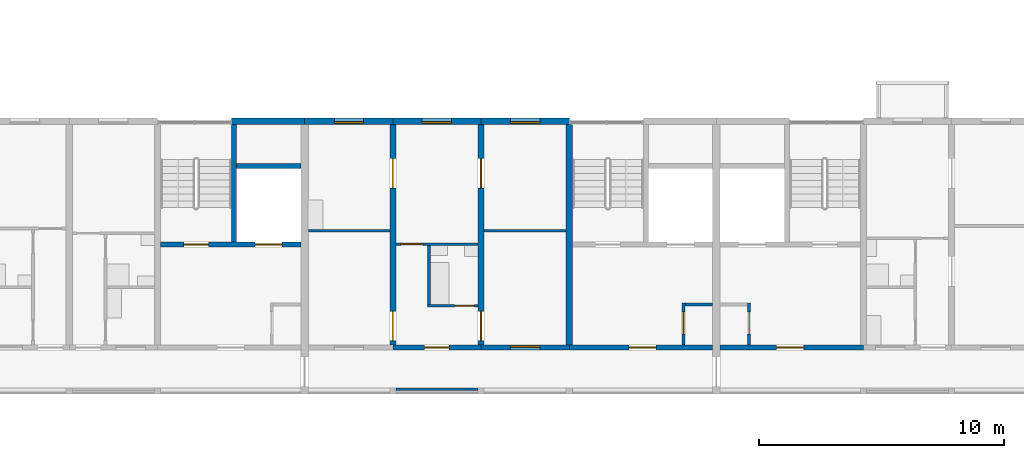
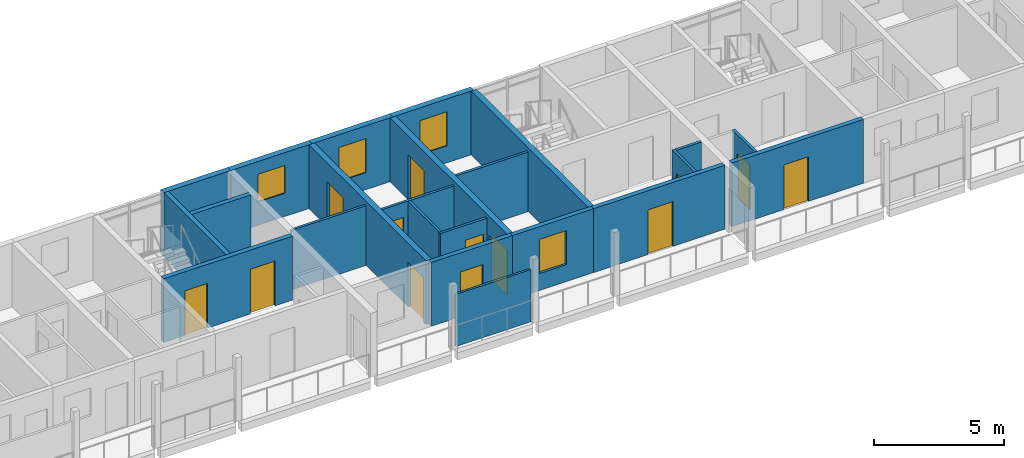
# One storey, part 39 of 100: 23 walls, 13 doors, 4 windows, 17 openings.
"""IFC4 building model written with IfcOpenShell, lengths in metres."""

from ifc_helpers import new_model, si_unit, direction, frame, frame_2d, origin, place, context, subcontext, project, spatial, rectangle, extrude, material, layer, layer_set, type_object, element, fill, save


model = new_model("IFC4")

# Units and contexts
model_context = context("Model", 3, precision=1e-05, world=origin(), true_north=direction((0.0, 1.0)))
body_context = subcontext(model_context, "Body", "Model", "MODEL_VIEW")
ifc_project = project(units=[si_unit("LENGTHUNIT", "METRE"), si_unit("AREAUNIT", "SQUARE_METRE"), si_unit("VOLUMEUNIT", "CUBIC_METRE"), si_unit("PLANEANGLEUNIT", "RADIAN"), si_unit("MASSUNIT", "GRAM", prefix="KILO")], contexts=[model_context])

# Site, building, storey
site_placement = place(None, origin())
site = spatial("IfcSite", under=ifc_project, at=site_placement, CompositionType="ELEMENT")
building_placement = place(site_placement, origin())
building = spatial("IfcBuilding", under=site, at=building_placement, Name="Ridgestep Commons", CompositionType="ELEMENT")
storey_placement = place(building_placement, frame((0.0, 0.0, 9.0)))
storey = spatial("IfcBuildingStorey", under=building, at=storey_placement, Name="L03", CompositionType="ELEMENT", Elevation=9.0)

# Wall
ifc_material_1 = material(Name="Concrete C30/37", Category="concrete")
ifc_layer_1 = layer(ifc_material_1, 0.25)
ifc_layer_set_1 = layer_set([ifc_layer_1], Name="Core cross wall 250")
wall_type_1 = type_object("IfcWallType", Name="Core cross wall 250", PredefinedType="SHEAR", material=ifc_layer_set_1)
wall_1_placement = place(storey_placement, frame((90.0, 13.75, 0.0), z_axis=(0.0, 0.0, 1.0), x_axis=(0.0, 1.0, 0.0)))
element("IfcWall", 1, at=wall_1_placement, inside=storey, type_object=wall_type_1, Name="Cross wall A-03-0900", PredefinedType="SHEAR", context=body_context, shape_type="SweptSolid", body=[
    extrude(rectangle(XDim=9.0, YDim=0.25, at=frame_2d((4.5, 0.0))), origin(), (0.0, 0.0, 1.0), 3.0),
])

# Wall, opening, door
ifc_material_2 = material(Name="Concrete C30/37", Category="concrete")
ifc_layer_2 = layer(ifc_material_2, 0.199951171875)
ifc_layer_set_2 = layer_set([ifc_layer_2], Name="Core south wall 200")
wall_type_2 = type_object("IfcWallType", Name="Core south wall 200", PredefinedType="SHEAR", material=ifc_layer_set_2)
wall_2_placement = place(storey_placement, frame((90.0, 13.64990234375, 0.0), z_axis=(0.0, 0.0, 1.0), x_axis=(1.0, 0.0, 0.0)))
wall_2 = element("IfcWall", 2, at=wall_2_placement, inside=storey, type_object=wall_type_2, Name="Core south wall A5C L03", PredefinedType="SHEAR", context=body_context, shape_type="SweptSolid", body=[
    extrude(rectangle(XDim=5.85009765625, YDim=0.199951171875, at=frame_2d((2.925048828125, 0.0))), origin(), (0.0, 0.0, 1.0), 3.0),
])
opening_1_placement = place(wall_2_placement, frame((2.4375, 0.0, 0.0)))
opening_1 = element("IfcOpeningElement", 3, at=opening_1_placement, cuts=wall_2, Name="Opening A5C/03/1", PredefinedType="OPENING", context=body_context, shape_type="SweptSolid", body=[
    extrude(rectangle(XDim=1.10009765625, YDim=2.10009765625, at=frame_2d((0.550048828125, 1.050048828125))), frame((0.0, 0.10986328125, 0.0), z_axis=(0.0, -1.0, 0.0), x_axis=(1.0, 0.0, 0.0)), (0.0, 0.0, 1.0), 0.219970703125),
])
ifc_material_3 = material(Name="Steel fire door", Category="steel")
door_type_1 = type_object("IfcDoorType", Name="Lobby door 1100 x 2100 FD60", OperationType="NOTDEFINED", PredefinedType="DOOR", material=ifc_material_3)
door_1_placement = place(opening_1_placement, origin())
door_1 = element("IfcDoor", 4, at=door_1_placement, inside=storey, type_object=door_type_1, Name="Lobby door A5C/03/1", OperationType="SINGLE_SWING_LEFT", OverallHeight=2.10009765625, OverallWidth=1.10009765625, PredefinedType="DOOR", context=body_context, shape_type="SweptSolid", body=[
    extrude(rectangle(XDim=1.10009765625, YDim=2.10009765625, at=frame_2d((0.550048828125, 1.050048828125))), frame((0.0, 0.02490234375, 0.0), z_axis=(0.0, -1.0, 0.0), x_axis=(1.0, 0.0, 0.0)), (0.0, 0.0, 1.0), 0.050048828125),
])
fill(opening_1, door_1)

wall_3_placement = place(storey_placement, frame((96.14990234375, 13.64990234375, 0.0), z_axis=(0.0, 0.0, 1.0), x_axis=(1.0, 0.0, 0.0)))
wall_3 = element("IfcWall", 5, at=wall_3_placement, inside=storey, type_object=wall_type_2, Name="Core south wall A6C L03", PredefinedType="SHEAR", context=body_context, shape_type="SweptSolid", body=[
    extrude(rectangle(XDim=5.85009765625, YDim=0.199951171875, at=frame_2d((2.925048828125, 0.0))), origin(), (0.0, 0.0, 1.0), 3.0),
])
opening_2_placement = place(wall_3_placement, frame((2.3125, 0.0, 0.0)))
opening_2 = element("IfcOpeningElement", 6, at=opening_2_placement, cuts=wall_3, Name="Opening A6C/03/1", PredefinedType="OPENING", context=body_context, shape_type="SweptSolid", body=[
    extrude(rectangle(XDim=1.10009765625, YDim=2.10009765625, at=frame_2d((0.550048828125, 1.050048828125))), frame((0.0, 0.10986328125, 0.0), z_axis=(0.0, -1.0, 0.0), x_axis=(1.0, 0.0, 0.0)), (0.0, 0.0, 1.0), 0.219970703125),
])
door_2_placement = place(opening_2_placement, origin())
door_2 = element("IfcDoor", 7, at=door_2_placement, inside=storey, type_object=door_type_1, Name="Lobby door A6C/03/1", OperationType="SINGLE_SWING_LEFT", OverallHeight=2.10009765625, OverallWidth=1.10009765625, PredefinedType="DOOR", context=body_context, shape_type="SweptSolid", body=[
    extrude(rectangle(XDim=1.10009765625, YDim=2.10009765625, at=frame_2d((0.550048828125, 1.050048828125))), frame((0.0, 0.02490234375, 0.0), z_axis=(0.0, -1.0, 0.0), x_axis=(1.0, 0.0, 0.0)), (0.0, 0.0, 1.0), 0.050048828125),
])
fill(opening_2, door_2)

ifc_material_4 = material(Name="Concrete C30/37", Category="concrete")
ifc_layer_3 = layer(ifc_material_4, 0.1201171875)
ifc_layer_set_3 = layer_set([ifc_layer_3], Name="Core wall 120")
wall_type_3 = type_object("IfcWallType", Name="Core wall 120", PredefinedType="SHEAR", material=ifc_layer_set_3)
wall_4_placement = place(storey_placement, frame((94.659912109375, 13.75, 0.0), z_axis=(0.0, 0.0, 1.0), x_axis=(0.0, 1.0, 0.0)))
wall_4 = element("IfcWall", 8, at=wall_4_placement, inside=storey, type_object=wall_type_3, Name="Core riser w wall A5C L03", PredefinedType="SHEAR", context=body_context, shape_type="SweptSolid", body=[
    extrude(rectangle(XDim=1.719970703125, YDim=0.1201171875, at=frame_2d((0.85986328125, 0.0))), origin(), (0.0, 0.0, 1.0), 3.0),
])
opening_3_placement = place(wall_4_placement, frame((0.449951171875, 0.0, 0.0)))
opening_3 = element("IfcOpeningElement", 9, at=opening_3_placement, cuts=wall_4, Name="Opening A5C/03/4", PredefinedType="OPENING", context=body_context, shape_type="SweptSolid", body=[
    extrude(rectangle(XDim=0.89990234375, YDim=2.10009765625, at=frame_2d((0.449951171875, 1.050048828125))), frame((0.0, 0.070068359375, 0.0), z_axis=(0.0, -1.0, 0.0), x_axis=(1.0, 0.0, 0.0)), (0.0, 0.0, 1.0), 0.14013671875),
])
ifc_material_5 = material(Name="Steel fire door", Category="steel")
door_type_2 = type_object("IfcDoorType", Name="Riser door 900 x 2100 FD60", OperationType="NOTDEFINED", PredefinedType="DOOR", material=ifc_material_5)
door_3_placement = place(opening_3_placement, origin())
door_3 = element("IfcDoor", 10, at=door_3_placement, inside=storey, type_object=door_type_2, Name="Riser door A5C/03/4", OperationType="SINGLE_SWING_LEFT", OverallHeight=2.10009765625, OverallWidth=0.89990234375, PredefinedType="DOOR", context=body_context, shape_type="SweptSolid", body=[
    extrude(rectangle(XDim=0.89990234375, YDim=2.10009765625, at=frame_2d((0.449951171875, 1.050048828125))), frame((0.0, 0.02490234375, 0.0), z_axis=(0.0, -1.0, 0.0), x_axis=(1.0, 0.0, 0.0)), (0.0, 0.0, 1.0), 0.050048828125),
])
fill(opening_3, door_3)

# Wall
wall_5_placement = place(storey_placement, frame((94.719970703125, 15.409912109375, 0.0), z_axis=(0.0, 0.0, 1.0), x_axis=(1.0, 0.0, 0.0)))
element("IfcWall", 11, at=wall_5_placement, inside=storey, type_object=wall_type_3, Name="Core riser n wall A5C L03", PredefinedType="SHEAR", context=body_context, shape_type="SweptSolid", body=[
    extrude(rectangle(XDim=1.130126953125, YDim=0.1201171875, at=frame_2d((0.56494140625, 0.0))), origin(), (0.0, 0.0, 1.0), 3.0),
])

# Wall, opening, door
wall_6_placement = place(storey_placement, frame((97.340087890625, 13.75, 0.0), z_axis=(0.0, 0.0, 1.0), x_axis=(0.0, 1.0, 0.0)))
wall_6 = element("IfcWall", 12, at=wall_6_placement, inside=storey, type_object=wall_type_3, Name="Core riser w wall A6C L03", PredefinedType="SHEAR", context=body_context, shape_type="SweptSolid", body=[
    extrude(rectangle(XDim=1.719970703125, YDim=0.1201171875, at=frame_2d((0.85986328125, 0.0))), origin(), (0.0, 0.0, 1.0), 3.0),
])
opening_4_placement = place(wall_6_placement, frame((0.449951171875, 0.0, 0.0)))
opening_4 = element("IfcOpeningElement", 13, at=opening_4_placement, cuts=wall_6, Name="Opening A6C/03/4", PredefinedType="OPENING", context=body_context, shape_type="SweptSolid", body=[
    extrude(rectangle(XDim=0.89990234375, YDim=2.10009765625, at=frame_2d((0.449951171875, 1.050048828125))), frame((0.0, 0.070068359375, 0.0), z_axis=(0.0, -1.0, 0.0), x_axis=(1.0, 0.0, 0.0)), (0.0, 0.0, 1.0), 0.14013671875),
])
door_4_placement = place(opening_4_placement, origin())
door_4 = element("IfcDoor", 14, at=door_4_placement, inside=storey, type_object=door_type_2, Name="Riser door A6C/03/4", OperationType="SINGLE_SWING_RIGHT", OverallHeight=2.10009765625, OverallWidth=0.89990234375, PredefinedType="DOOR", context=body_context, shape_type="SweptSolid", body=[
    extrude(rectangle(XDim=0.89990234375, YDim=2.10009765625, at=frame_2d((0.449951171875, 1.050048828125))), frame((0.0, 0.02490234375, 0.0), z_axis=(0.0, -1.0, 0.0), x_axis=(1.0, 0.0, 0.0)), (0.0, 0.0, 1.0), 0.050048828125),
])
fill(opening_4, door_4)

# Wall, openings, doors
ifc_material_6 = material(Name="Concrete C30/37", Category="concrete")
ifc_layer_4 = layer(ifc_material_6, 0.199951171875)
ifc_layer_set_4 = layer_set([ifc_layer_4], Name="Core wall 200")
wall_type_4 = type_object("IfcWallType", Name="Core wall 200", PredefinedType="SHEAR", material=ifc_layer_set_4)
wall_7_placement = place(storey_placement, frame((73.324951171875, 17.85009765625, 0.0), z_axis=(0.0, 0.0, 1.0), x_axis=(1.0, 0.0, 0.0)))
wall_7 = element("IfcWall", 15, at=wall_7_placement, inside=storey, type_object=wall_type_4, Name="Core lobby wall A4C L03", PredefinedType="SHEAR", context=body_context, shape_type="SweptSolid", body=[
    extrude(rectangle(XDim=5.72509765625, YDim=0.199951171875, at=frame_2d((2.862548828125, 0.0))), origin(), (0.0, 0.0, 1.0), 3.0),
])
opening_5_placement = place(wall_7_placement, frame((0.949951171875, 0.0, 0.0)))
opening_5 = element("IfcOpeningElement", 16, at=opening_5_placement, cuts=wall_7, Name="Opening A4C/03/2", PredefinedType="OPENING", context=body_context, shape_type="SweptSolid", body=[
    extrude(rectangle(XDim=1.0, YDim=2.10009765625, at=frame_2d((0.5, 1.050048828125))), frame((0.0, 0.10986328125, 0.0), z_axis=(0.0, -1.0, 0.0), x_axis=(1.0, 0.0, 0.0)), (0.0, 0.0, 1.0), 0.219970703125),
])
opening_6_placement = place(wall_7_placement, frame((3.862548828125, 0.0, 0.0)))
opening_6 = element("IfcOpeningElement", 17, at=opening_6_placement, cuts=wall_7, Name="Opening A4C/03/3", PredefinedType="OPENING", context=body_context, shape_type="SweptSolid", body=[
    extrude(rectangle(XDim=1.10009765625, YDim=2.10009765625, at=frame_2d((0.550048828125, 1.050048828125))), frame((0.0, 0.10986328125, 0.0), z_axis=(0.0, -1.0, 0.0), x_axis=(1.0, 0.0, 0.0)), (0.0, 0.0, 1.0), 0.219970703125),
])
ifc_material_7 = material(Name="Stainless steel", Category="steel")
door_type_3 = type_object("IfcDoorType", Name="Lift landing door 1100 x 2100 FD60", OperationType="DOUBLE_DOOR_SLIDING", PredefinedType="DOOR", material=ifc_material_7)
door_5_placement = place(opening_6_placement, origin())
door_5 = element("IfcDoor", 18, at=door_5_placement, inside=storey, type_object=door_type_3, Name="Landing door LD A4C L03", OperationType="DOUBLE_DOOR_SLIDING", OverallHeight=2.10009765625, OverallWidth=1.10009765625, PredefinedType="DOOR", context=body_context, shape_type="SweptSolid", body=[
    extrude(rectangle(XDim=1.10009765625, YDim=2.10009765625, at=frame_2d((0.550048828125, 1.050048828125))), frame((0.0, 0.02490234375, 0.0), z_axis=(0.0, -1.0, 0.0), x_axis=(1.0, 0.0, 0.0)), (0.0, 0.0, 1.0), 0.050048828125),
])
fill(opening_6, door_5)
ifc_material_8 = material(Name="Steel fire door", Category="steel")
door_type_4 = type_object("IfcDoorType", Name="Stair door 1000 x 2100 FD60", OperationType="NOTDEFINED", PredefinedType="DOOR", material=ifc_material_8)
door_6_placement = place(opening_5_placement, origin())
door_6 = element("IfcDoor", 19, at=door_6_placement, inside=storey, type_object=door_type_4, Name="Stair door A4C/03/2", OperationType="SINGLE_SWING_RIGHT", OverallHeight=2.10009765625, OverallWidth=1.0, PredefinedType="DOOR", context=body_context, shape_type="SweptSolid", body=[
    extrude(rectangle(XDim=1.0, YDim=2.10009765625, at=frame_2d((0.5, 1.050048828125))), frame((0.0, 0.02490234375, 0.0), z_axis=(0.0, -1.0, 0.0), x_axis=(1.0, 0.0, 0.0)), (0.0, 0.0, 1.0), 0.050048828125),
])
fill(opening_5, door_6)

# Walls
wall_8_placement = place(storey_placement, frame((76.324951171875, 17.949951171875, 0.0), z_axis=(0.0, 0.0, 1.0), x_axis=(0.0, 1.0, 0.0)))
element("IfcWall", 20, at=wall_8_placement, inside=storey, type_object=wall_type_4, Name="Core stair wall A4C L03", PredefinedType="SHEAR", context=body_context, shape_type="SweptSolid", body=[
    extrude(rectangle(XDim=4.800048828125, YDim=0.199951171875, at=frame_2d((2.39990234375, 0.0))), origin(), (0.0, 0.0, 1.0), 3.0),
])
wall_9_placement = place(storey_placement, frame((76.425048828125, 21.050048828125, 0.0), z_axis=(0.0, 0.0, 1.0), x_axis=(1.0, 0.0, 0.0)))
element("IfcWall", 21, at=wall_9_placement, inside=storey, type_object=wall_type_4, Name="Core duct wall A4C L03", PredefinedType="SHEAR", context=body_context, shape_type="SweptSolid", body=[
    extrude(rectangle(XDim=2.625, YDim=0.199951171875, at=frame_2d((1.3125, 0.0))), origin(), (0.0, 0.0, 1.0), 3.0),
])

# Wall, openings, doors
ifc_material_9 = material(Name="Precast concrete C40/50", Category="concrete")
ifc_layer_5 = layer(ifc_material_9, 0.25)
ifc_layer_set_5 = layer_set([ifc_layer_5], Name="Cross wall 250")
wall_type_5 = type_object("IfcWallType", Name="Cross wall 250", PredefinedType="SHEAR", material=ifc_layer_set_5)
wall_10_placement = place(storey_placement, frame((82.800048828125, 13.75, 0.0), z_axis=(0.0, 0.0, 1.0), x_axis=(0.0, 1.0, 0.0)))
wall_10 = element("IfcWall", 22, at=wall_10_placement, inside=storey, type_object=wall_type_5, Name="Cross wall A-03-0828", PredefinedType="SHEAR", context=body_context, shape_type="SweptSolid", body=[
    extrude(rectangle(XDim=9.0, YDim=0.25, at=frame_2d((4.5, 0.0))), origin(), (0.0, 0.0, 1.0), 3.0),
])
opening_7_placement = place(wall_10_placement, frame((0.175048828125, 0.0, 0.0)))
opening_7 = element("IfcOpeningElement", 23, at=opening_7_placement, cuts=wall_10, Name="Opening A5-03a/4", PredefinedType="OPENING", context=body_context, shape_type="SweptSolid", body=[
    extrude(rectangle(XDim=1.199951171875, YDim=2.10009765625, at=frame_2d((0.60009765625, 1.050048828125))), frame((0.0, 0.135009765625, 0.0), z_axis=(0.0, -1.0, 0.0), x_axis=(1.0, 0.0, 0.0)), (0.0, 0.0, 1.0), 0.27001953125),
])
opening_8_placement = place(wall_10_placement, frame((6.39990234375, 0.0, 0.0)))
opening_8 = element("IfcOpeningElement", 24, at=opening_8_placement, cuts=wall_10, Name="Opening A5-03a/5", PredefinedType="OPENING", context=body_context, shape_type="SweptSolid", body=[
    extrude(rectangle(XDim=1.199951171875, YDim=2.10009765625, at=frame_2d((0.60009765625, 1.050048828125))), frame((0.0, 0.135009765625, 0.0), z_axis=(0.0, -1.0, 0.0), x_axis=(1.0, 0.0, 0.0)), (0.0, 0.0, 1.0), 0.27001953125),
])
ifc_material_10 = material(Name="Timber door leaf", Category="wood")
door_type_5 = type_object("IfcDoorType", Name="Double door 1200 x 2100", OperationType="DOUBLE_DOOR_SINGLE_SWING", PredefinedType="DOOR", material=ifc_material_10)
door_7_placement = place(opening_7_placement, origin())
door_7 = element("IfcDoor", 25, at=door_7_placement, inside=storey, type_object=door_type_5, Name="Double door A5-03a/4", OperationType="DOUBLE_DOOR_SINGLE_SWING", OverallHeight=2.10009765625, OverallWidth=1.199951171875, PredefinedType="DOOR", context=body_context, shape_type="SweptSolid", body=[
    extrude(rectangle(XDim=1.199951171875, YDim=2.10009765625, at=frame_2d((0.60009765625, 1.050048828125))), frame((0.0, 0.02490234375, 0.0), z_axis=(0.0, -1.0, 0.0), x_axis=(1.0, 0.0, 0.0)), (0.0, 0.0, 1.0), 0.050048828125),
])
fill(opening_7, door_7)
door_8_placement = place(opening_8_placement, origin())
door_8 = element("IfcDoor", 26, at=door_8_placement, inside=storey, type_object=door_type_5, Name="Double door A5-03a/5", OperationType="DOUBLE_DOOR_SINGLE_SWING", OverallHeight=2.10009765625, OverallWidth=1.199951171875, PredefinedType="DOOR", context=body_context, shape_type="SweptSolid", body=[
    extrude(rectangle(XDim=1.199951171875, YDim=2.10009765625, at=frame_2d((0.60009765625, 1.050048828125))), frame((0.0, 0.02490234375, 0.0), z_axis=(0.0, -1.0, 0.0), x_axis=(1.0, 0.0, 0.0)), (0.0, 0.0, 1.0), 0.050048828125),
])
fill(opening_8, door_8)

wall_11_placement = place(storey_placement, frame((86.39990234375, 13.75, 0.0), z_axis=(0.0, 0.0, 1.0), x_axis=(0.0, 1.0, 0.0)))
wall_11 = element("IfcWall", 27, at=wall_11_placement, inside=storey, type_object=wall_type_5, Name="Cross wall A-03-0864", PredefinedType="SHEAR", context=body_context, shape_type="SweptSolid", body=[
    extrude(rectangle(XDim=9.0, YDim=0.25, at=frame_2d((4.5, 0.0))), origin(), (0.0, 0.0, 1.0), 3.0),
])
opening_9_placement = place(wall_11_placement, frame((0.175048828125, 0.0, 0.0)))
opening_9 = element("IfcOpeningElement", 28, at=opening_9_placement, cuts=wall_11, Name="Opening A5-03a/6", PredefinedType="OPENING", context=body_context, shape_type="SweptSolid", body=[
    extrude(rectangle(XDim=1.199951171875, YDim=2.10009765625, at=frame_2d((0.60009765625, 1.050048828125))), frame((0.0, 0.135009765625, 0.0), z_axis=(0.0, -1.0, 0.0), x_axis=(1.0, 0.0, 0.0)), (0.0, 0.0, 1.0), 0.27001953125),
])
opening_10_placement = place(wall_11_placement, frame((6.39990234375, 0.0, 0.0)))
opening_10 = element("IfcOpeningElement", 29, at=opening_10_placement, cuts=wall_11, Name="Opening A5-03a/7", PredefinedType="OPENING", context=body_context, shape_type="SweptSolid", body=[
    extrude(rectangle(XDim=1.199951171875, YDim=2.10009765625, at=frame_2d((0.60009765625, 1.050048828125))), frame((0.0, 0.135009765625, 0.0), z_axis=(0.0, -1.0, 0.0), x_axis=(1.0, 0.0, 0.0)), (0.0, 0.0, 1.0), 0.27001953125),
])
door_9_placement = place(opening_9_placement, origin())
door_9 = element("IfcDoor", 30, at=door_9_placement, inside=storey, type_object=door_type_5, Name="Double door A5-03a/6", OperationType="DOUBLE_DOOR_SINGLE_SWING", OverallHeight=2.10009765625, OverallWidth=1.199951171875, PredefinedType="DOOR", context=body_context, shape_type="SweptSolid", body=[
    extrude(rectangle(XDim=1.199951171875, YDim=2.10009765625, at=frame_2d((0.60009765625, 1.050048828125))), frame((0.0, 0.02490234375, 0.0), z_axis=(0.0, -1.0, 0.0), x_axis=(1.0, 0.0, 0.0)), (0.0, 0.0, 1.0), 0.050048828125),
])
fill(opening_9, door_9)
door_10_placement = place(opening_10_placement, origin())
door_10 = element("IfcDoor", 31, at=door_10_placement, inside=storey, type_object=door_type_5, Name="Double door A5-03a/7", OperationType="DOUBLE_DOOR_SINGLE_SWING", OverallHeight=2.10009765625, OverallWidth=1.199951171875, PredefinedType="DOOR", context=body_context, shape_type="SweptSolid", body=[
    extrude(rectangle(XDim=1.199951171875, YDim=2.10009765625, at=frame_2d((0.60009765625, 1.050048828125))), frame((0.0, 0.02490234375, 0.0), z_axis=(0.0, -1.0, 0.0), x_axis=(1.0, 0.0, 0.0)), (0.0, 0.0, 1.0), 0.050048828125),
])
fill(opening_10, door_10)

# Wall
ifc_material_11 = material(Name="Precast concrete C40/50", Category="concrete")
ifc_layer_6 = layer(ifc_material_11, 0.25)
ifc_layer_set_6 = layer_set([ifc_layer_6], Name="North facade panel 250")
wall_type_6 = type_object("IfcWallType", Name="North facade panel 250", PredefinedType="SOLIDWALL", material=ifc_layer_set_6)
wall_12_placement = place(storey_placement, frame((76.22509765625, 22.875, 0.0), z_axis=(0.0, 0.0, 1.0), x_axis=(1.0, 0.0, 0.0)))
element("IfcWall", 32, at=wall_12_placement, inside=storey, type_object=wall_type_6, Name="North panel A4C L03", PredefinedType="SOLIDWALL", context=body_context, shape_type="SweptSolid", body=[
    extrude(rectangle(XDim=2.974853515625, YDim=0.25, at=frame_2d((1.4873046875, 0.0))), origin(), (0.0, 0.0, 1.0), 3.0),
])

# Wall, opening, window
wall_13_placement = place(storey_placement, frame((79.199951171875, 22.875, 0.0), z_axis=(0.0, 0.0, 1.0), x_axis=(1.0, 0.0, 0.0)))
wall_13 = element("IfcWall", 33, at=wall_13_placement, inside=storey, type_object=wall_type_6, Name="North panel A5T1 L03", PredefinedType="SOLIDWALL", context=body_context, shape_type="SweptSolid", body=[
    extrude(rectangle(XDim=3.60009765625, YDim=0.25, at=frame_2d((1.800048828125, 0.0))), origin(), (0.0, 0.0, 1.0), 3.0),
])
opening_11_placement = place(wall_13_placement, frame((1.21240234375, 0.0, 1.10009765625)))
opening_11 = element("IfcOpeningElement", 34, at=opening_11_placement, cuts=wall_13, Name="Opening W08", PredefinedType="OPENING", context=body_context, shape_type="SweptSolid", body=[
    extrude(rectangle(XDim=1.199951171875, YDim=1.300048828125, at=frame_2d((0.60009765625, 0.64990234375))), frame((0.0, 0.135009765625, 0.0), z_axis=(0.0, -1.0, 0.0), x_axis=(1.0, 0.0, 0.0)), (0.0, 0.0, 1.0), 0.27001953125),
])
ifc_material_12 = material(Name="Aluminium 6063-T6 and glass", Category="aluminium")
window_type_1 = type_object("IfcWindowType", Name="Flat window 1200 x 1300", PartitioningType="SINGLE_PANEL", PredefinedType="WINDOW", material=ifc_material_12)
window_1_placement = place(opening_11_placement, origin())
window_1 = element("IfcWindow", 35, at=window_1_placement, inside=storey, type_object=window_type_1, Name="Window A5-03a 2", OverallHeight=1.300048828125, OverallWidth=1.199951171875, PartitioningType="SINGLE_PANEL", PredefinedType="WINDOW", context=body_context, shape_type="SweptSolid", body=[
    extrude(rectangle(XDim=1.199951171875, YDim=1.300048828125, at=frame_2d((0.60009765625, 0.64990234375))), frame((0.0, -0.02490234375, 0.0), z_axis=(0.0, -1.0, 0.0), x_axis=(1.0, 0.0, 0.0)), (0.0, 0.0, 1.0), 0.06005859375),
])
fill(opening_11, window_1)

wall_14_placement = place(storey_placement, frame((82.800048828125, 22.875, 0.0), z_axis=(0.0, 0.0, 1.0), x_axis=(1.0, 0.0, 0.0)))
wall_14 = element("IfcWall", 36, at=wall_14_placement, inside=storey, type_object=wall_type_6, Name="North panel A5T2 L03", PredefinedType="SOLIDWALL", context=body_context, shape_type="SweptSolid", body=[
    extrude(rectangle(XDim=3.599853515625, YDim=0.25, at=frame_2d((1.7998046875, 0.0))), origin(), (0.0, 0.0, 1.0), 3.0),
])
opening_12_placement = place(wall_14_placement, frame((1.199951171875, 0.0, 0.800048828125)))
opening_12 = element("IfcOpeningElement", 37, at=opening_12_placement, cuts=wall_14, Name="Opening W11", PredefinedType="OPENING", context=body_context, shape_type="SweptSolid", body=[
    extrude(rectangle(XDim=1.199951171875, YDim=1.60009765625, at=frame_2d((0.60009765625, 0.800048828125))), frame((0.0, 0.135009765625, 0.0), z_axis=(0.0, -1.0, 0.0), x_axis=(1.0, 0.0, 0.0)), (0.0, 0.0, 1.0), 0.27001953125),
])
ifc_material_13 = material(Name="Aluminium 6063-T6 and glass", Category="aluminium")
window_type_2 = type_object("IfcWindowType", Name="Flat window 1200 x 1600", PartitioningType="SINGLE_PANEL", PredefinedType="WINDOW", material=ifc_material_13)
window_2_placement = place(opening_12_placement, origin())
window_2 = element("IfcWindow", 38, at=window_2_placement, inside=storey, type_object=window_type_2, Name="Window A5-03a 5", OverallHeight=1.60009765625, OverallWidth=1.199951171875, PartitioningType="SINGLE_PANEL", PredefinedType="WINDOW", context=body_context, shape_type="SweptSolid", body=[
    extrude(rectangle(XDim=1.199951171875, YDim=1.60009765625, at=frame_2d((0.60009765625, 0.800048828125))), frame((0.0, -0.02490234375, 0.0), z_axis=(0.0, -1.0, 0.0), x_axis=(1.0, 0.0, 0.0)), (0.0, 0.0, 1.0), 0.06005859375),
])
fill(opening_12, window_2)

wall_15_placement = place(storey_placement, frame((86.39990234375, 22.875, 0.0), z_axis=(0.0, 0.0, 1.0), x_axis=(1.0, 0.0, 0.0)))
wall_15 = element("IfcWall", 39, at=wall_15_placement, inside=storey, type_object=wall_type_6, Name="North panel A5T3 L03", PredefinedType="SOLIDWALL", context=body_context, shape_type="SweptSolid", body=[
    extrude(rectangle(XDim=3.60009765625, YDim=0.25, at=frame_2d((1.800048828125, 0.0))), origin(), (0.0, 0.0, 1.0), 3.0),
])
opening_13_placement = place(wall_15_placement, frame((1.199951171875, 0.0, 0.800048828125)))
opening_13 = element("IfcOpeningElement", 40, at=opening_13_placement, cuts=wall_15, Name="Opening W11", PredefinedType="OPENING", context=body_context, shape_type="SweptSolid", body=[
    extrude(rectangle(XDim=1.199951171875, YDim=1.60009765625, at=frame_2d((0.60009765625, 0.800048828125))), frame((0.0, 0.135009765625, 0.0), z_axis=(0.0, -1.0, 0.0), x_axis=(1.0, 0.0, 0.0)), (0.0, 0.0, 1.0), 0.27001953125),
])
window_3_placement = place(opening_13_placement, origin())
window_3 = element("IfcWindow", 41, at=window_3_placement, inside=storey, type_object=window_type_2, Name="Window A5-03a 4", OverallHeight=1.60009765625, OverallWidth=1.199951171875, PartitioningType="SINGLE_PANEL", PredefinedType="WINDOW", context=body_context, shape_type="SweptSolid", body=[
    extrude(rectangle(XDim=1.199951171875, YDim=1.60009765625, at=frame_2d((0.60009765625, 0.800048828125))), frame((0.0, -0.02490234375, 0.0), z_axis=(0.0, -1.0, 0.0), x_axis=(1.0, 0.0, 0.0)), (0.0, 0.0, 1.0), 0.06005859375),
])
fill(opening_13, window_3)

# Wall, opening, door
ifc_material_14 = material(Name="Common brick 110 mm", Category="masonry")
ifc_layer_7 = layer(ifc_material_14, 0.110107421875)
ifc_layer_set_7 = layer_set([ifc_layer_7], Name="Partition 110")
wall_type_7 = type_object("IfcWallType", Name="Partition 110", PredefinedType="PARTITIONING", material=ifc_layer_set_7)
wall_16_placement = place(storey_placement, frame((84.22509765625, 15.35498046875, 0.0), z_axis=(0.0, 0.0, 1.0), x_axis=(1.0, 0.0, 0.0)))
wall_16 = element("IfcWall", 42, at=wall_16_placement, inside=storey, type_object=wall_type_7, Name="Partition A5-03a", PredefinedType="PARTITIONING", context=body_context, shape_type="SweptSolid", body=[
    extrude(rectangle(XDim=2.0498046875, YDim=0.110107421875, at=frame_2d((1.02490234375, 0.0))), origin(), (0.0, 0.0, 1.0), 2.800048828125),
])
opening_14_placement = place(wall_16_placement, frame((1.10009765625, 0.0, 0.0)))
opening_14 = element("IfcOpeningElement", 43, at=opening_14_placement, cuts=wall_16, Name="Opening A5-03a/2", PredefinedType="OPENING", context=body_context, shape_type="SweptSolid", body=[
    extrude(rectangle(XDim=0.800048828125, YDim=2.10009765625, at=frame_2d((0.39990234375, 1.050048828125))), frame((0.0, 0.06494140625, 0.0), z_axis=(0.0, -1.0, 0.0), x_axis=(1.0, 0.0, 0.0)), (0.0, 0.0, 1.0), 0.130126953125),
])
ifc_material_15 = material(Name="Timber door leaf", Category="wood")
door_type_6 = type_object("IfcDoorType", Name="Internal door 800 x 2100", OperationType="NOTDEFINED", PredefinedType="DOOR", material=ifc_material_15)
door_11_placement = place(opening_14_placement, origin())
door_11 = element("IfcDoor", 44, at=door_11_placement, inside=storey, type_object=door_type_6, Name="Internal door A5-03a/2", OperationType="SINGLE_SWING_RIGHT", OverallHeight=2.10009765625, OverallWidth=0.800048828125, PredefinedType="DOOR", context=body_context, shape_type="SweptSolid", body=[
    extrude(rectangle(XDim=0.800048828125, YDim=2.10009765625, at=frame_2d((0.39990234375, 1.050048828125))), frame((0.0, 0.02490234375, 0.0), z_axis=(0.0, -1.0, 0.0), x_axis=(1.0, 0.0, 0.0)), (0.0, 0.0, 1.0), 0.050048828125),
])
fill(opening_14, door_11)

# Wall
wall_17_placement = place(storey_placement, frame((84.280029296875, 15.409912109375, 0.0), z_axis=(0.0, 0.0, 1.0), x_axis=(0.0, 1.0, 0.0)))
element("IfcWall", 45, at=wall_17_placement, inside=storey, type_object=wall_type_7, Name="Partition A5-03a", PredefinedType="PARTITIONING", context=body_context, shape_type="SweptSolid", body=[
    extrude(rectangle(XDim=2.400146484375, YDim=0.110107421875, at=frame_2d((1.2001953125, 0.0))), origin(), (0.0, 0.0, 1.0), 2.800048828125),
])

# Wall, opening, door
wall_18_placement = place(storey_placement, frame((82.925048828125, 17.864990234375, 0.0), z_axis=(0.0, 0.0, 1.0), x_axis=(1.0, 0.0, 0.0)))
wall_18 = element("IfcWall", 46, at=wall_18_placement, inside=storey, type_object=wall_type_7, Name="Partition A5-03a", PredefinedType="PARTITIONING", context=body_context, shape_type="SweptSolid", body=[
    extrude(rectangle(XDim=3.349853515625, YDim=0.110107421875, at=frame_2d((1.6748046875, 0.0))), origin(), (0.0, 0.0, 1.0), 2.800048828125),
])
opening_15_placement = place(wall_18_placement, frame((0.199951171875, 0.0, 0.0)))
opening_15 = element("IfcOpeningElement", 47, at=opening_15_placement, cuts=wall_18, Name="Opening A5-03a/3", PredefinedType="OPENING", context=body_context, shape_type="SweptSolid", body=[
    extrude(rectangle(XDim=0.89990234375, YDim=2.10009765625, at=frame_2d((0.449951171875, 1.050048828125))), frame((0.0, 0.06494140625, 0.0), z_axis=(0.0, -1.0, 0.0), x_axis=(1.0, 0.0, 0.0)), (0.0, 0.0, 1.0), 0.130126953125),
])
ifc_material_16 = material(Name="Timber door leaf", Category="wood")
door_type_7 = type_object("IfcDoorType", Name="Internal door 900 x 2100", OperationType="NOTDEFINED", PredefinedType="DOOR", material=ifc_material_16)
door_12_placement = place(opening_15_placement, origin())
door_12 = element("IfcDoor", 48, at=door_12_placement, inside=storey, type_object=door_type_7, Name="Internal door A5-03a/3", OperationType="SINGLE_SWING_LEFT", OverallHeight=2.10009765625, OverallWidth=0.89990234375, PredefinedType="DOOR", context=body_context, shape_type="SweptSolid", body=[
    extrude(rectangle(XDim=0.89990234375, YDim=2.10009765625, at=frame_2d((0.449951171875, 1.050048828125))), frame((0.0, 0.02490234375, 0.0), z_axis=(0.0, -1.0, 0.0), x_axis=(1.0, 0.0, 0.0)), (0.0, 0.0, 1.0), 0.050048828125),
])
fill(opening_15, door_12)

# Walls
wall_19_placement = place(storey_placement, frame((79.35009765625, 18.405029296875, 0.0), z_axis=(0.0, 0.0, 1.0), x_axis=(1.0, 0.0, 0.0)))
element("IfcWall", 49, at=wall_19_placement, inside=storey, type_object=wall_type_7, Name="Partition A5-03a", PredefinedType="PARTITIONING", context=body_context, shape_type="SweptSolid", body=[
    extrude(rectangle(XDim=3.324951171875, YDim=0.110107421875, at=frame_2d((1.66259765625, 0.0))), origin(), (0.0, 0.0, 1.0), 2.800048828125),
])
wall_20_placement = place(storey_placement, frame((86.52490234375, 18.405029296875, 0.0), z_axis=(0.0, 0.0, 1.0), x_axis=(1.0, 0.0, 0.0)))
element("IfcWall", 50, at=wall_20_placement, inside=storey, type_object=wall_type_7, Name="Partition A5-03a", PredefinedType="PARTITIONING", context=body_context, shape_type="SweptSolid", body=[
    extrude(rectangle(XDim=3.35009765625, YDim=0.110107421875, at=frame_2d((1.675048828125, 0.0))), origin(), (0.0, 0.0, 1.0), 2.800048828125),
])
ifc_material_17 = material(Name="Precast concrete C30/37", Category="concrete")
ifc_layer_8 = layer(ifc_material_17, 0.10009765625)
ifc_layer_set_8 = layer_set([ifc_layer_8], Name="Perforated gallery screen 3350 x 2450 x 100")
wall_type_8 = type_object("IfcWallType", Name="Perforated gallery screen 3350 x 2450 x 100", PredefinedType="SOLIDWALL", material=ifc_layer_set_8)
wall_21_placement = place(storey_placement, frame((82.925048828125, 11.949951171875, 0.0), z_axis=(0.0, 0.0, 1.0), x_axis=(1.0, 0.0, 0.0)))
element("IfcWall", 51, at=wall_21_placement, inside=storey, type_object=wall_type_8, Name="Gallery screen A5T2 03", PredefinedType="SOLIDWALL", context=body_context, shape_type="SweptSolid", body=[
    extrude(rectangle(XDim=3.349853515625, YDim=0.10009765625, at=frame_2d((1.6748046875, 0.0))), origin(), (0.0, 0.0, 1.0), 2.449951171875),
])

# Wall, opening, door
ifc_material_18 = material(Name="Precast concrete C40/50", Category="concrete")
ifc_layer_9 = layer(ifc_material_18, 0.199951171875)
ifc_layer_set_9 = layer_set([ifc_layer_9], Name="South facade panel 200")
wall_type_9 = type_object("IfcWallType", Name="South facade panel 200", PredefinedType="SOLIDWALL", material=ifc_layer_set_9)
wall_22_placement = place(storey_placement, frame((82.800048828125, 13.64990234375, 0.0), z_axis=(0.0, 0.0, 1.0), x_axis=(1.0, 0.0, 0.0)))
wall_22 = element("IfcWall", 52, at=wall_22_placement, inside=storey, type_object=wall_type_9, Name="South panel A5T2 L03", PredefinedType="SOLIDWALL", context=body_context, shape_type="SweptSolid", body=[
    extrude(rectangle(XDim=3.599853515625, YDim=0.199951171875, at=frame_2d((1.7998046875, 0.0))), origin(), (0.0, 0.0, 1.0), 3.0),
])
opening_16_placement = place(wall_22_placement, frame((1.300048828125, 0.0, 0.0)))
opening_16 = element("IfcOpeningElement", 53, at=opening_16_placement, cuts=wall_22, Name="Opening A5-03a/1", PredefinedType="OPENING", context=body_context, shape_type="SweptSolid", body=[
    extrude(rectangle(XDim=1.0, YDim=2.10009765625, at=frame_2d((0.5, 1.050048828125))), frame((0.0, 0.10986328125, 0.0), z_axis=(0.0, -1.0, 0.0), x_axis=(1.0, 0.0, 0.0)), (0.0, 0.0, 1.0), 0.219970703125),
])
ifc_material_19 = material(Name="Timber door leaf", Category="wood")
door_type_8 = type_object("IfcDoorType", Name="Flat entrance door 1000 x 2100 FD30S", OperationType="NOTDEFINED", PredefinedType="DOOR", material=ifc_material_19)
door_13_placement = place(opening_16_placement, origin())
door_13 = element("IfcDoor", 54, at=door_13_placement, inside=storey, type_object=door_type_8, Name="Flat entrance door A5-03a/1", OperationType="SINGLE_SWING_LEFT", OverallHeight=2.10009765625, OverallWidth=1.0, PredefinedType="DOOR", context=body_context, shape_type="SweptSolid", body=[
    extrude(rectangle(XDim=1.0, YDim=2.10009765625, at=frame_2d((0.5, 1.050048828125))), frame((0.0, 0.02490234375, 0.0), z_axis=(0.0, -1.0, 0.0), x_axis=(1.0, 0.0, 0.0)), (0.0, 0.0, 1.0), 0.050048828125),
])
fill(opening_16, door_13)

# Wall, opening, window
wall_23_placement = place(storey_placement, frame((86.39990234375, 13.64990234375, 0.0), z_axis=(0.0, 0.0, 1.0), x_axis=(1.0, 0.0, 0.0)))
wall_23 = element("IfcWall", 55, at=wall_23_placement, inside=storey, type_object=wall_type_9, Name="South panel A5T3 L03", PredefinedType="SOLIDWALL", context=body_context, shape_type="SweptSolid", body=[
    extrude(rectangle(XDim=3.60009765625, YDim=0.199951171875, at=frame_2d((1.800048828125, 0.0))), origin(), (0.0, 0.0, 1.0), 3.0),
])
opening_17_placement = place(wall_23_placement, frame((1.199951171875, 0.0, 0.800048828125)))
opening_17 = element("IfcOpeningElement", 56, at=opening_17_placement, cuts=wall_23, Name="Opening W11", PredefinedType="OPENING", context=body_context, shape_type="SweptSolid", body=[
    extrude(rectangle(XDim=1.199951171875, YDim=1.60009765625, at=frame_2d((0.60009765625, 0.800048828125))), frame((0.0, 0.10986328125, 0.0), z_axis=(0.0, -1.0, 0.0), x_axis=(1.0, 0.0, 0.0)), (0.0, 0.0, 1.0), 0.219970703125),
])
window_4_placement = place(opening_17_placement, origin())
window_4 = element("IfcWindow", 57, at=window_4_placement, inside=storey, type_object=window_type_2, Name="Window A5-03a 3", OverallHeight=1.60009765625, OverallWidth=1.199951171875, PartitioningType="SINGLE_PANEL", PredefinedType="WINDOW", context=body_context, shape_type="SweptSolid", body=[
    extrude(rectangle(XDim=1.199951171875, YDim=1.60009765625, at=frame_2d((0.60009765625, 0.800048828125))), frame((0.0, 0.06005859375, 0.0), z_axis=(0.0, -1.0, 0.0), x_axis=(1.0, 0.0, 0.0)), (0.0, 0.0, 1.0), 0.06005859375),
])
fill(opening_17, window_4)

save(model, "model.ifc")
